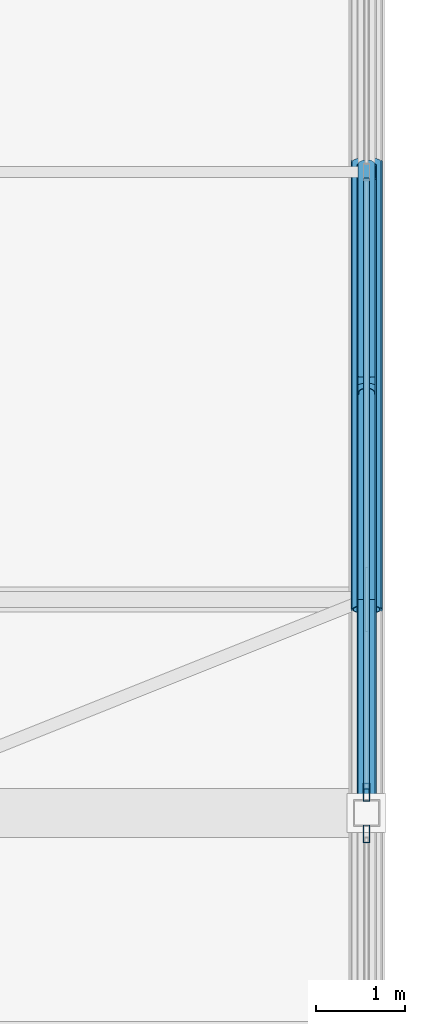
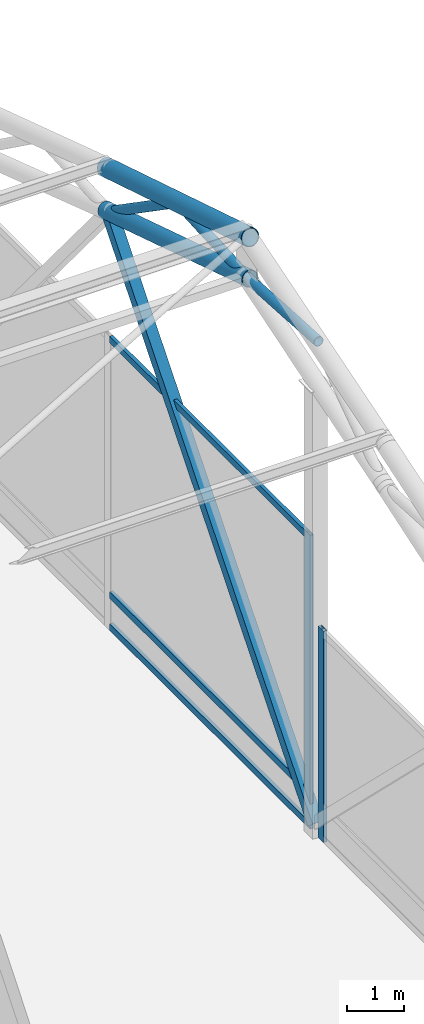
# One storey, part 57 of 116: 11 members, 2 elements without a shape of their own.
"""IFC4 building model written with IfcOpenShell, lengths in metres."""

from ifc_helpers import new_model, si_unit, direction, frame, origin, origin_2d, place, context, subcontext, project, spatial, hollow_rectangle, hollow_circle, extrude, material, material_profile, profile_set, type_object, element, aggregate, save


model = new_model("IFC4")

# Units and contexts
model_context = context("Model", 3, precision=1e-05, world=origin(), true_north=direction((0.0, 1.0)))
body_context = subcontext(model_context, "Body", "Model", "MODEL_VIEW")
ifc_project = project(units=[si_unit("LENGTHUNIT", "METRE"), si_unit("AREAUNIT", "SQUARE_METRE"), si_unit("VOLUMEUNIT", "CUBIC_METRE"), si_unit("PLANEANGLEUNIT", "RADIAN"), si_unit("MASSUNIT", "GRAM", prefix="KILO")], contexts=[model_context])

# Site, building, storey
site_placement = place(None, origin())
site = spatial("IfcSite", under=ifc_project, at=site_placement, CompositionType="ELEMENT")
building_placement = place(site_placement, origin())
building = spatial("IfcBuilding", under=site, at=building_placement, Name="Cendralis Lancet Convention Centre", CompositionType="ELEMENT")
storey_placement = place(building_placement, frame((0.0, 0.0, 15.0)))
storey = spatial("IfcBuildingStorey", under=building, at=storey_placement, Name="L03", CompositionType="ELEMENT", Elevation=15.0)

# Curtain wall, member
ifc_material_1 = material(Name="Anodised bronze architectural aluminium", Category="aluminium")
curtain_wall_type = type_object("IfcCurtainWallType", Name="ARC-CW-PL02", PredefinedType="USERDEFINED", material=ifc_material_1)
curtain_wall_1_placement = place(storey_placement, origin())
curtain_wall_1 = element("IfcCurtainWall", 1, at=curtain_wall_1_placement, inside=storey, type_object=curtain_wall_type, Name="L03 Curtain Wall CW-PL2 #142", ObjectType="CURTAIN WALL", PredefinedType="USERDEFINED")
ifc_material_profile_1 = material_profile(ifc_material_1, hollow_rectangle(XDim=0.070068359375, YDim=0.199951171875, WallThickness=0.0048828125, at=origin_2d()), Name="AL-MULL 70x200x5.0")
ifc_profile_set_1 = profile_set([ifc_material_profile_1], Name="Anodised bronze architectural aluminium")
member_type_1 = type_object("IfcMemberType", Name="ARC-CW-ML02", PredefinedType="MULLION", material=ifc_profile_set_1)
member_1_placement = place(storey_placement, frame((208.800048828125, 64.56494140625, 0.0), z_axis=(0.0, 0.0, 1.0), x_axis=(1.0, 0.0, 0.0)))
member_1 = element("IfcMember", 2, at=member_1_placement, type_object=member_type_1, Name="Mullion CW2-CW-PL2-L03-142-M0", PredefinedType="MULLION", context=body_context, shape_type="SweptSolid", body=[
    extrude(hollow_rectangle(XDim=0.070068359375, YDim=0.199951171875, WallThickness=0.0048828125, at=origin_2d()), origin(), (0.0, 0.0, 1.0), 4.4970703125),
])
aggregate(curtain_wall_1, [member_1])

# Curtain wall, members
curtain_wall_2_placement = place(storey_placement, origin())
curtain_wall_2 = element("IfcCurtainWall", 3, at=curtain_wall_2_placement, inside=storey, type_object=curtain_wall_type, Name="L03 Curtain Wall CW-PL2 #143", ObjectType="CURTAIN WALL", PredefinedType="USERDEFINED")
member_2_placement = place(storey_placement, frame((208.800048828125, 65.034912109375, 0.0), z_axis=(0.0, 0.0, 1.0), x_axis=(1.0, 0.0, 0.0)))
member_2 = element("IfcMember", 4, at=member_2_placement, type_object=member_type_1, Name="Mullion CW2-CW-PL2-L03-143-M2", PredefinedType="MULLION", context=body_context, shape_type="SweptSolid", body=[
    extrude(hollow_rectangle(XDim=0.070068359375, YDim=0.199951171875, WallThickness=0.0048828125, at=origin_2d()), origin(), (0.0, 0.0, 1.0), 6.2548828125),
])
ifc_material_profile_2 = material_profile(ifc_material_1, hollow_rectangle(XDim=0.070068359375, YDim=0.139892578125, WallThickness=0.00390625, at=origin_2d()), Name="AL-TRAN 70x140x4.0")
ifc_profile_set_2 = profile_set([ifc_material_profile_2], Name="Anodised bronze architectural aluminium")
member_type_2 = type_object("IfcMemberType", Name="ARC-CW-TR02", PredefinedType="USERDEFINED", material=ifc_profile_set_2)
member_3_placement = place(storey_placement, frame((208.800048828125, 71.929931640625, 0.070068359375), z_axis=(0.0, -1.0, 0.0), x_axis=(1.0, 0.0, 0.0)))
member_3 = element("IfcMember", 5, at=member_3_placement, type_object=member_type_2, Name="Transom CW2-CW-PL2-L03-143-T1BOT", ObjectType="TRANSOM", PredefinedType="USERDEFINED", context=body_context, shape_type="SweptSolid", body=[
    extrude(hollow_rectangle(XDim=0.070068359375, YDim=0.139892578125, WallThickness=0.00390625, at=origin_2d()), origin(), (0.0, 0.0, 1.0), 6.85986328125),
])
member_4_placement = place(storey_placement, frame((208.800048828125, 71.929931640625, 0.75), z_axis=(0.0, -1.0, 0.0), x_axis=(1.0, 0.0, 0.0)))
member_4 = element("IfcMember", 6, at=member_4_placement, type_object=member_type_2, Name="Transom CW2-CW-PL2-L03-143-T1MID", ObjectType="TRANSOM", PredefinedType="USERDEFINED", context=body_context, shape_type="SweptSolid", body=[
    extrude(hollow_rectangle(XDim=0.070068359375, YDim=0.139892578125, WallThickness=0.00390625, at=origin_2d()), origin(), (0.0, 0.0, 1.0), 6.85986328125),
])
member_5_placement = place(storey_placement, frame((208.800048828125, 71.929931640625, 6.18505859375), z_axis=(0.0, -1.0, 0.0), x_axis=(1.0, 0.0, 0.0)))
member_5 = element("IfcMember", 7, at=member_5_placement, type_object=member_type_2, Name="Transom CW2-CW-PL2-L03-143-T1TOP", ObjectType="TRANSOM", PredefinedType="USERDEFINED", context=body_context, shape_type="SweptSolid", body=[
    extrude(hollow_rectangle(XDim=0.070068359375, YDim=0.139892578125, WallThickness=0.00390625, at=origin_2d()), origin(), (0.0, 0.0, 1.0), 6.85986328125),
])
aggregate(curtain_wall_2, [member_2, member_3, member_4, member_5])

# Members
ifc_material_2 = material(Name="Steel S355", Category="steel")
ifc_material_profile_3 = material_profile(ifc_material_2, hollow_rectangle(XDim=0.219970703125, YDim=0.219970703125, WallThickness=0.012451171875, at=origin_2d()), Name="SHS 220x220x12.5")
ifc_profile_set_3 = profile_set([ifc_material_profile_3], Name="Steel S355")
member_type_3 = type_object("IfcMemberType", Name="STR-BR-GB02", PredefinedType="BRACE", material=ifc_profile_set_3)
member_6_placement = place(storey_placement, frame((208.800048828125, 64.800048828125, 0.199951171875), z_axis=(0.0, 0.639706349846, 0.768619402544), x_axis=(-1.0, 0.0, 0.0)))
element("IfcMember", 8, at=member_6_placement, inside=storey, type_object=member_type_3, Name="Plenary Gable Gothic Ogival Tracery Rib GBR2 #075", PredefinedType="BRACE", context=body_context, shape_type="SweptSolid", body=[
    extrude(hollow_rectangle(XDim=0.219970703125, YDim=0.219970703125, WallThickness=0.012451171875, at=origin_2d()), origin(), (0.0, 0.0, 1.0), 11.255126953125),
])
ifc_material_profile_4 = material_profile(ifc_material_2, hollow_circle(Radius=0.161865234375, WallThickness=0.01416015625, at=origin_2d()), Name="CHS 323.9x14.2")
ifc_profile_set_4 = profile_set([ifc_material_profile_4], Name="Steel S355")
member_type_4 = type_object("IfcMemberType", Name="STR-TR-BC02", PredefinedType="CHORD", material=ifc_profile_set_4)
member_7_placement = place(storey_placement, frame((208.800048828125, 67.085693359375, 10.404296875), z_axis=(0.0, 0.953497974751, -0.301399422935), x_axis=(-1.0, 0.0, 0.0)))
element("IfcMember", 9, at=member_7_placement, inside=storey, type_object=member_type_4, Name="ROOF TRUSS AT-V2-10 Bottom Chord 05", PredefinedType="CHORD", context=body_context, shape_type="SweptSolid", body=[
    extrude(hollow_circle(Radius=0.161865234375, WallThickness=0.01416015625, at=origin_2d()), origin(), (0.0, 0.0, 1.0), 5.274169921875),
])
ifc_material_profile_5 = material_profile(ifc_material_2, hollow_circle(Radius=0.177734375, WallThickness=0.01611328125, at=origin_2d()), Name="CHS 355.6x16.0")
ifc_profile_set_5 = profile_set([ifc_material_profile_5], Name="Steel S355")
member_type_5 = type_object("IfcMemberType", Name="STR-TR-TC02", PredefinedType="CHORD", material=ifc_profile_set_5)
member_8_placement = place(storey_placement, frame((208.800048828125, 67.08544921875, 11.285400390625), z_axis=(0.0, 0.955415250206, -0.295265473218), x_axis=(-1.0, 0.0, 0.0)))
element("IfcMember", 10, at=member_8_placement, inside=storey, type_object=member_type_5, Name="ROOF TRUSS AT-V2-10 Top Chord 05", PredefinedType="CHORD", context=body_context, shape_type="SweptSolid", body=[
    extrude(hollow_circle(Radius=0.177734375, WallThickness=0.01611328125, at=origin_2d()), origin(), (0.0, 0.0, 1.0), 5.263671875),
])
ifc_material_profile_6 = material_profile(ifc_material_2, hollow_circle(Radius=0.096923828125, WallThickness=0.008056640625, at=origin_2d()), Name="CHS 193.7x8.0")
ifc_profile_set_6 = profile_set([ifc_material_profile_6], Name="Steel S355")
member_type_6 = type_object("IfcMemberType", Name="STR-TR-WD02", PredefinedType="BRACE", material=ifc_profile_set_6)
for number, where, z_axis, x_axis, name in (
    (11, (208.800048828125, 64.7001953125, 10.51416015625), (0.0, 0.998298213899, -0.058315316402), (-1.0, 0.0, 0.0), "ROOF TRUSS AT-V2-10 Warren Web 04-1"),
    (12, (208.800048828125, 67.10009765625, 10.3623046875), (0.0, 0.998298213899, 0.058315316402), (-1.0, 0.0, 0.0), "ROOF TRUSS AT-V2-10 Warren Web 05-0"),
):
    element("IfcMember", number, at=place(storey_placement, frame(where, z_axis=z_axis, x_axis=x_axis)), inside=storey, type_object=member_type_6, Name=name, PredefinedType="BRACE", context=body_context, shape_type="SweptSolid", body=[
        extrude(hollow_circle(Radius=0.096923828125, WallThickness=0.008056640625, at=origin_2d()), origin(), (0.0, 0.0, 1.0), 2.60400390625),
    ])
member_9_placement = place(storey_placement, frame((208.800048828125, 69.517578125, 10.565185546875), z_axis=(0.0, 0.822876843509, -0.56821976419), x_axis=(-1.0, 0.0, 0.0)))
element("IfcMember", 13, at=member_9_placement, inside=storey, type_object=member_type_6, Name="ROOF TRUSS AT-V2-10 Warren Web 05-1", PredefinedType="BRACE", context=body_context, shape_type="SweptSolid", body=[
    extrude(hollow_circle(Radius=0.096923828125, WallThickness=0.008056640625, at=origin_2d()), origin(), (0.0, 0.0, 1.0), 3.11669921875),
])

save(model, "model.ifc")
